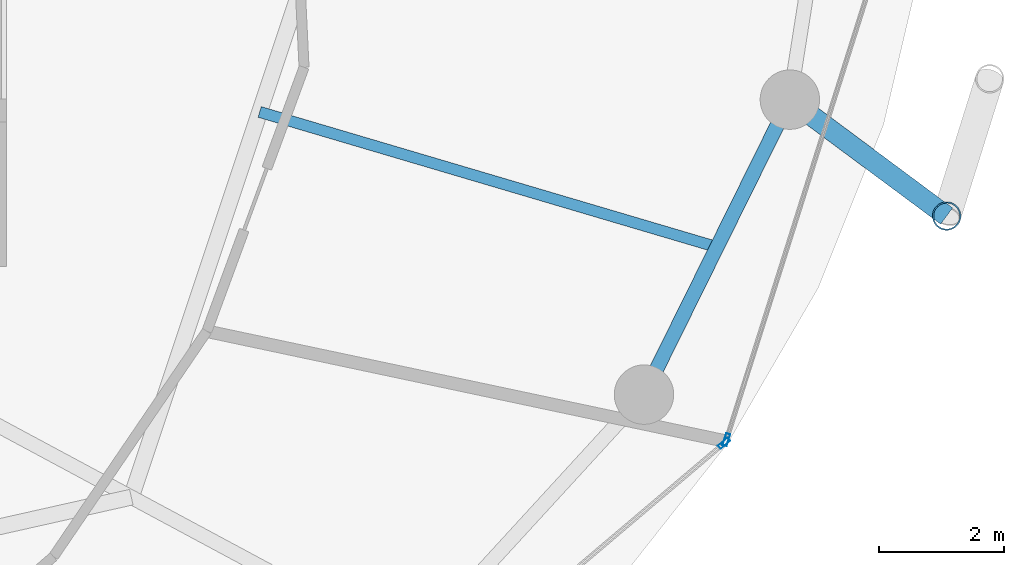
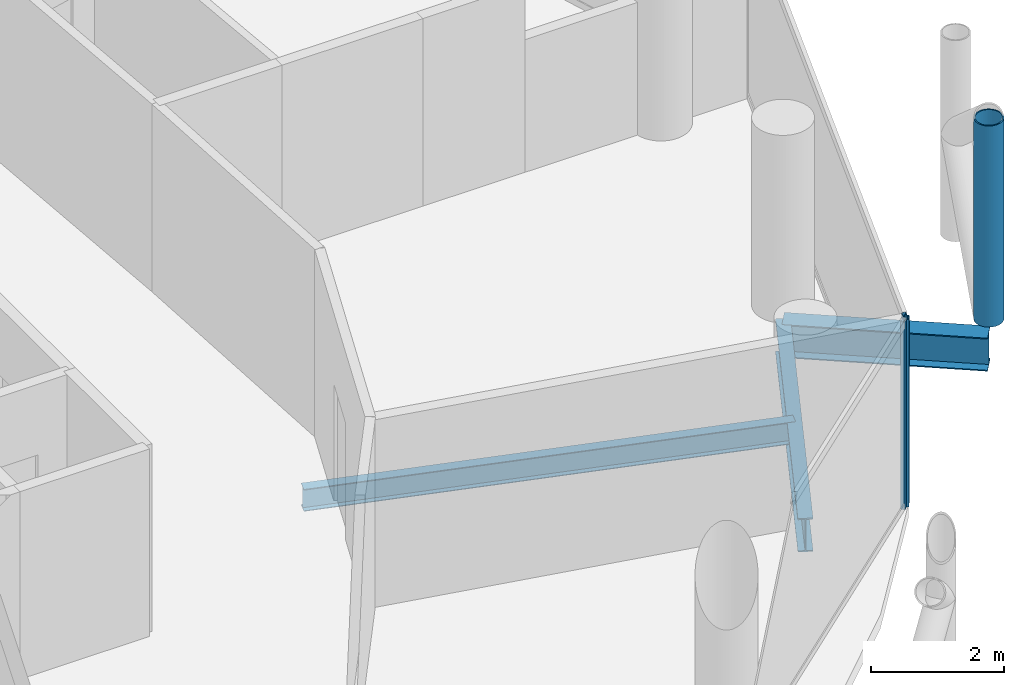
# One storey, part 10 of 26: 3 beams, 3 members, 2 elements without a shape of their own.
"""IFC4 building model written with IfcOpenShell, lengths in metres."""

from ifc_helpers import new_model, si_unit, direction, frame, origin, origin_2d, place, context, subcontext, project, spatial, hollow_rectangle, hollow_circle, i_section, extrude, material, layer, layer_set, material_profile, profile_set, type_object, element, aggregate, save


model = new_model("IFC4")

# Units and contexts
model_context = context("Model", 3, precision=1e-05, world=origin(), true_north=direction((0.0, 1.0)))
body_context = subcontext(model_context, "Body", "Model", "MODEL_VIEW")
ifc_project = project(units=[si_unit("LENGTHUNIT", "METRE"), si_unit("AREAUNIT", "SQUARE_METRE"), si_unit("VOLUMEUNIT", "CUBIC_METRE"), si_unit("PLANEANGLEUNIT", "RADIAN"), si_unit("MASSUNIT", "GRAM", prefix="KILO")], contexts=[model_context])

# Site, building, storey
site_placement = place(None, origin())
site = spatial("IfcSite", under=ifc_project, at=site_placement, CompositionType="ELEMENT")
building_placement = place(site_placement, origin())
building = spatial("IfcBuilding", under=site, at=building_placement, Name="Nuhasar Tower", CompositionType="ELEMENT")
storey_placement = place(building_placement, frame((0.0, 0.0, 181.14990234375)))
storey = spatial("IfcBuildingStorey", under=building, at=storey_placement, Name="L44", CompositionType="ELEMENT", Elevation=181.14990234375)

# Beams
ifc_material_1 = material(Name="Steel S355", Category="steel")
ifc_material_profile_1 = material_profile(ifc_material_1, i_section(OverallWidth=0.177978515625, OverallDepth=0.406005859375, WebThickness=0.0078125, FlangeThickness=0.0126953125, at=origin_2d()), Name="W16X40")
ifc_profile_set_1 = profile_set([ifc_material_profile_1], Name="Steel S355")
beam_type_1 = type_object("IfcBeamType", Name="BM-JST-W16X40", PredefinedType="JOIST", material=ifc_profile_set_1)
beam_1_placement = place(storey_placement, frame((53.0791015625, 21.54296875, -0.452880859375), z_axis=(0.959000494697, -0.283404395116, 0.0), x_axis=(0.283404395116, 0.959000494697, 0.0)))
element("IfcBeam", 1, at=beam_1_placement, inside=storey, type_object=beam_type_1, Name="L44 Secondary Floor Joist 03", PredefinedType="JOIST", context=body_context, shape_type="SweptSolid", body=[
    extrude(i_section(OverallWidth=0.177978515625, OverallDepth=0.406005859375, WebThickness=0.0078125, FlangeThickness=0.0126953125, at=origin_2d()), origin(), (0.0, 0.0, 1.0), 7.621337890625),
])
ifc_material_profile_2 = material_profile(ifc_material_1, i_section(OverallWidth=0.22998046875, OverallDepth=0.616943359375, WebThickness=0.01318359375, FlangeThickness=0.022216796875, at=origin_2d()), Name="W24X94")
ifc_profile_set_2 = profile_set([ifc_material_profile_2], Name="Steel S355")
beam_type_2 = type_object("IfcBeamType", Name="BM-RING-W24X94", PredefinedType="SPANDREL", material=ifc_profile_set_2)
beam_2_placement = place(storey_placement, frame((59.221923828125, 17.02490234375, -0.558837890625), z_axis=(0.443329327657, 0.896358804966, 0.0), x_axis=(-0.896358804966, 0.443329327657, 0.0)))
element("IfcBeam", 2, at=beam_2_placement, inside=storey, type_object=beam_type_2, Name="L44 Perimeter Ring Spandrel 23", PredefinedType="SPANDREL", context=body_context, shape_type="SweptSolid", body=[
    extrude(i_section(OverallWidth=0.22998046875, OverallDepth=0.616943359375, WebThickness=0.01318359375, FlangeThickness=0.022216796875, at=origin_2d()), origin(), (0.0, 0.0, 1.0), 5.26025390625),
])
ifc_material_profile_3 = material_profile(ifc_material_1, i_section(OverallWidth=0.323974609375, OverallDepth=0.611083984375, WebThickness=0.0126953125, FlangeThickness=0.01904296875, at=origin_2d()), Name="W24X104")
ifc_profile_set_3 = profile_set([ifc_material_profile_3], Name="Steel S355")
beam_type_3 = type_object("IfcBeamType", Name="BM-TIE-W24X104", PredefinedType="BEAM", material=ifc_profile_set_3)
beam_3_placement = place(storey_placement, frame((61.553955078125, 21.739990234375, -0.554931640625), z_axis=(0.80283476238, -0.596201597041, 0.0), x_axis=(0.596201597041, 0.80283476238, 0.0)))
element("IfcBeam", 3, at=beam_3_placement, inside=storey, type_object=beam_type_3, Name="L44 Exoskeleton Node Tie Beam 12", PredefinedType="BEAM", context=body_context, shape_type="SweptSolid", body=[
    extrude(i_section(OverallWidth=0.323974609375, OverallDepth=0.611083984375, WebThickness=0.0126953125, FlangeThickness=0.01904296875, at=origin_2d()), origin(), (0.0, 0.0, 1.0), 3.12158203125),
])

# Curtain wall, member
ifc_material_2 = material(Name="Aluminium 6063-T6", Category="aluminium")
ifc_layer = layer(ifc_material_2, 0.199951171875)
ifc_layer_set = layer_set([ifc_layer], Name="Aluminium 6063-T6")
curtain_wall_type = type_object("IfcCurtainWallType", Name="CW-Z2-HTL", PredefinedType="NOTDEFINED", material=ifc_layer_set)
curtain_wall_1_placement = place(storey_placement, origin())
curtain_wall_1 = element("IfcCurtainWall", 4, at=curtain_wall_1_placement, inside=storey, type_object=curtain_wall_type, Name="L44 Unitised Curtain Wall 11", PredefinedType="NOTDEFINED")
ifc_material_profile_4 = material_profile(ifc_material_2, hollow_rectangle(XDim=0.070068359375, YDim=0.199951171875, WallThickness=0.0048828125, at=origin_2d()), Name="CWM-3")
ifc_profile_set_4 = profile_set([ifc_material_profile_4], Name="Aluminium 6063-T6")
member_type_1 = type_object("IfcMemberType", Name="CW-MUL-S3", PredefinedType="MULLION", material=ifc_profile_set_4)
member_1_placement = place(storey_placement, frame((60.502197265625, 16.247314453125, 0.0), z_axis=(0.0, 0.0, 1.0), x_axis=(-0.646374438324, 0.763020370292, 0.0)))
member_1 = element("IfcMember", 5, at=member_1_placement, type_object=member_type_1, Name="CW-Z2 mullion 2", PredefinedType="MULLION", context=body_context, shape_type="SweptSolid", body=[
    extrude(hollow_rectangle(XDim=0.070068359375, YDim=0.199951171875, WallThickness=0.0048828125, at=origin_2d()), origin(), (0.0, 0.0, 1.0), 3.4501953125),
])
aggregate(curtain_wall_1, [member_1])

curtain_wall_2_placement = place(storey_placement, origin())
curtain_wall_2 = element("IfcCurtainWall", 6, at=curtain_wall_2_placement, inside=storey, type_object=curtain_wall_type, Name="L44 Unitised Curtain Wall 12", PredefinedType="NOTDEFINED")
member_2_placement = place(storey_placement, frame((60.53955078125, 16.303466796875, 0.0), z_axis=(0.0, 0.0, 1.0), x_axis=(-0.953433389233, 0.301603667577, 0.0)))
member_2 = element("IfcMember", 7, at=member_2_placement, type_object=member_type_1, Name="CW-Z2 mullion 1", PredefinedType="MULLION", context=body_context, shape_type="SweptSolid", body=[
    extrude(hollow_rectangle(XDim=0.070068359375, YDim=0.199951171875, WallThickness=0.0048828125, at=origin_2d()), origin(), (0.0, 0.0, 1.0), 3.4501953125),
])
aggregate(curtain_wall_2, [member_2])

# Member
ifc_material_3 = material(Name="Steel S460", Category="steel")
ifc_material_profile_5 = material_profile(ifc_material_3, hollow_circle(Radius=0.228515625, WallThickness=0.022216796875, at=origin_2d()), Name="HSS457X22.2")
ifc_profile_set_5 = profile_set([ifc_material_profile_5], Name="Steel S460")
member_type_2 = type_object("IfcMemberType", Name="EXO-BRONZE-457", PredefinedType="BRACE", material=ifc_profile_set_5)
member_3_placement = place(storey_placement, frame((64.06005859375, 19.87890625, 0.0), z_axis=(0.0, 0.0, 1.0), x_axis=(1.0, 0.0, 0.0)))
element("IfcMember", 8, at=member_3_placement, inside=storey, type_object=member_type_2, Name="L44 Exoskeleton Chord Column EC-12A", PredefinedType="BRACE", context=body_context, shape_type="SweptSolid", body=[
    extrude(hollow_circle(Radius=0.228515625, WallThickness=0.022216796875, at=origin_2d()), origin(), (0.0, 0.0, 1.0), 3.7001953125),
])

save(model, "model.ifc")
